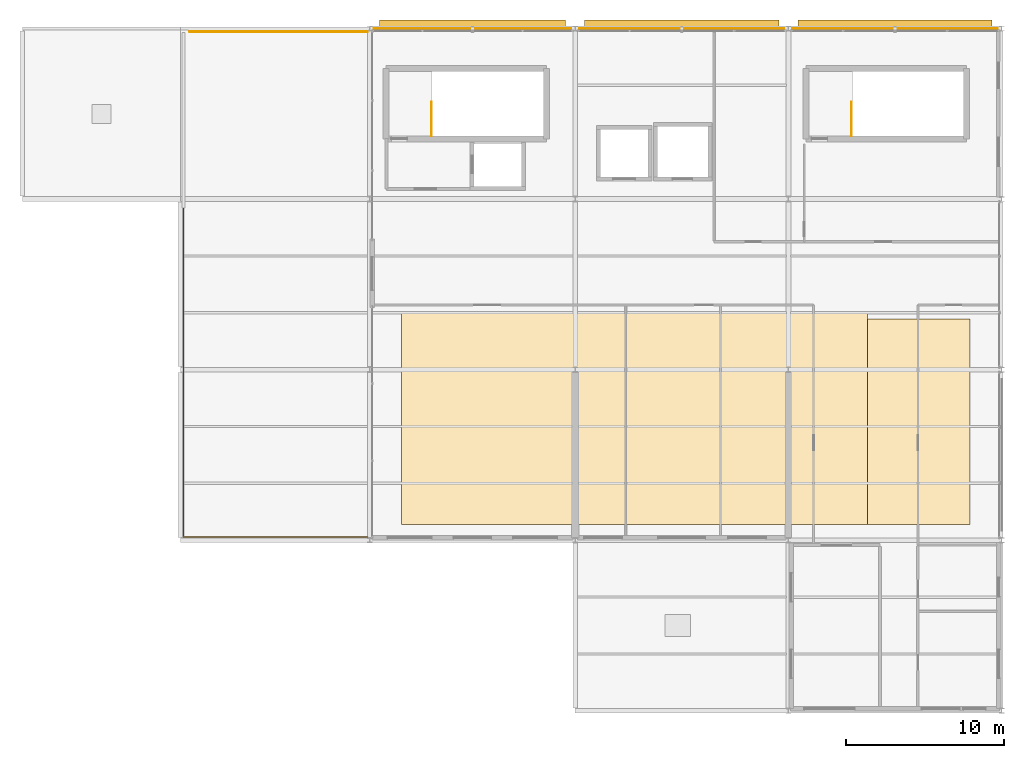
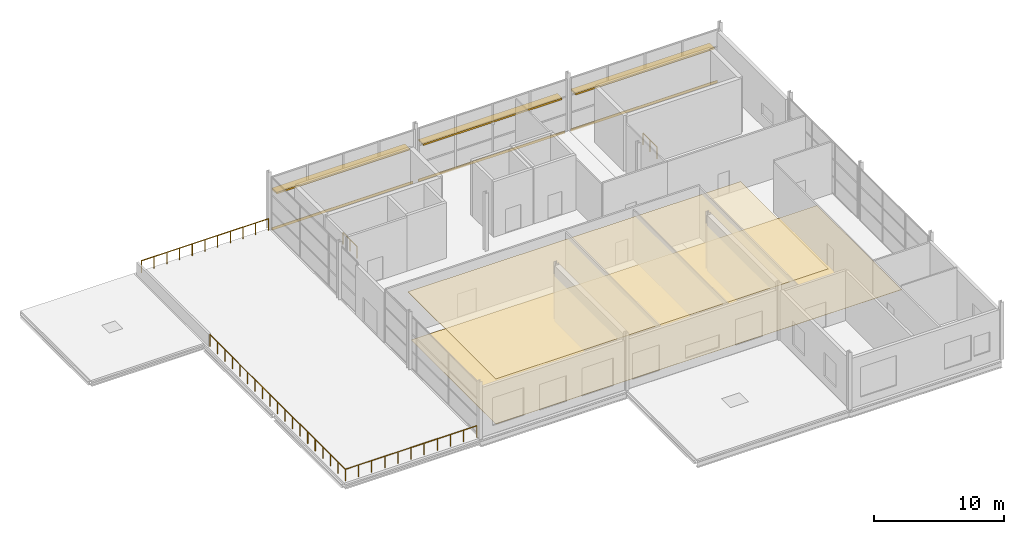
# One storey, part 34 of 34: 5 coverings, 4 railings, 3 shading devices.
"""IFC4 building model written with IfcOpenShell, lengths in metres."""

from ifc_helpers import new_model, si_unit, direction, frame, origin, origin_2d, place, context, subcontext, project, spatial, polyline, rectangle, circle, outline, extrude, material, layer, layer_set, type_object, element, save


model = new_model("IFC4")

# Units and contexts
model_context = context("Model", 3, precision=1e-05, world=origin(), true_north=direction((0.0, 1.0)))
body_context = subcontext(model_context, "Body", "Model", "MODEL_VIEW")
ifc_project = project(units=[si_unit("LENGTHUNIT", "METRE"), si_unit("AREAUNIT", "SQUARE_METRE"), si_unit("VOLUMEUNIT", "CUBIC_METRE"), si_unit("PLANEANGLEUNIT", "RADIAN"), si_unit("MASSUNIT", "GRAM", prefix="KILO")], contexts=[model_context])

# Site, building, storey
site_placement = place(None, origin())
site = spatial("IfcSite", under=ifc_project, at=site_placement, CompositionType="ELEMENT")
building_placement = place(site_placement, origin())
building = spatial("IfcBuilding", under=site, at=building_placement, Name="Tamarisk Ironworks Central Station", CompositionType="ELEMENT")
storey_placement = place(building_placement, frame((0.0, 0.0, 25.199951171875)))
storey = spatial("IfcBuildingStorey", under=building, at=storey_placement, Name="L05", CompositionType="ELEMENT", Elevation=25.199951171875)

# Coverings
ifc_material_1 = material(Name="Anodized aluminium alloy 6063-T6", Category="aluminium")
ifc_layer_1 = layer(ifc_material_1, 0.044921875)
ifc_layer_set_1 = layer_set([ifc_layer_1], Name="Anodized aluminium alloy 6063-T6")
covering_type_1 = type_object("IfcCoveringType", Name="COV-CEIL-MT", PredefinedType="CEILING", material=ifc_layer_set_1)
covering_1_placement = place(storey_placement, frame((0.0, 0.0, 4.199951171875)))
element("IfcCovering", 1, at=covering_1_placement, inside=storey, type_object=covering_type_1, Name="L05 suspended acoustic baffle ceiling 012", PredefinedType="CEILING", context=body_context, shape_type="SweptSolid", body=[
    extrude(outline(polyline([(142.0, 91.0), (171.5, 91.0), (171.5, 104.5), (142.0, 104.5), (142.0, 91.0)])), origin(), (0.0, 0.0, 1.0), 0.045166015625),
])
ifc_material_2 = material(Name="Clay facing brickwork and mortar", Category="masonry")
ifc_layer_2 = layer(ifc_material_2, 0.050048828125)
ifc_layer_set_2 = layer_set([ifc_layer_2], Name="Clay facing brickwork and mortar")
covering_type_2 = type_object("IfcCoveringType", Name="COV-CLAD", PredefinedType="CLADDING", material=ifc_layer_set_2)
covering_2_placement = place(storey_placement, frame((146.5, 122.389892578125, -0.23974609375), z_axis=(0.0, 0.0, 1.0), x_axis=(1.0, 0.0, 0.0)))
element("IfcCovering", 2, at=covering_2_placement, inside=storey, type_object=covering_type_2, Name="L05 terracotta slab-edge spandrel cladding 025", PredefinedType="CLADDING", context=body_context, shape_type="SweptSolid", body=[
    extrude(rectangle(XDim=12.5, YDim=0.050048828125, at=origin_2d()), origin(), (0.0, 0.0, 1.0), 0.239990234375),
])
for number, where, z_axis, x_axis, name in (
    (3, (159.75, 122.389892578125, -0.23974609375), (0.0, 0.0, 1.0), (1.0, 0.0, 0.0), "L05 terracotta slab-edge spandrel cladding 026"),
    (4, (173.25, 122.389892578125, -0.23974609375), (0.0, 0.0, 1.0), (1.0, 0.0, 0.0), "L05 terracotta slab-edge spandrel cladding 027"),
):
    element("IfcCovering", number, at=place(storey_placement, frame(where, z_axis=z_axis, x_axis=x_axis)), inside=storey, type_object=covering_type_2, Name=name, PredefinedType="CLADDING", context=body_context, shape_type="SweptSolid", body=[
        extrude(rectangle(XDim=13.0, YDim=0.050048828125, at=origin_2d()), origin(), (0.0, 0.0, 1.0), 0.239990234375),
    ])
ifc_material_3 = material(Name="Granite tactile platform paving", Category="masonry")
ifc_layer_3 = layer(ifc_material_3, 0.02490234375)
ifc_layer_set_3 = layer_set([ifc_layer_3], Name="Granite tactile platform paving")
covering_type_3 = type_object("IfcCoveringType", Name="COV-FLOOR-GR", PredefinedType="FLOORING", material=ifc_layer_set_3)
covering_3_placement = place(storey_placement, origin())
element("IfcCovering", 5, at=covering_3_placement, inside=storey, type_object=covering_type_3, Name="L05 granite/terrazzo floor finish 012", PredefinedType="FLOORING", context=body_context, shape_type="SweptSolid", body=[
    extrude(outline(polyline([(142.0, 91.0), (178.0, 91.0), (178.0, 104.0), (142.0, 104.0), (142.0, 91.0)])), origin(), (0.0, 0.0, 1.0), 0.025146484375),
])

# Railings
ifc_material_4 = material(Name="Brushed stainless steel AISI 316", Category="steel")
railing_type_1 = type_object("IfcRailingType", Name="RL-GUARD-EXT", PredefinedType="BALUSTRADE", material=ifc_material_4)
railing_1_placement = place(storey_placement, frame((139.85009765625, 90.199951171875, 0.0)))
element("IfcRailing", 6, at=railing_1_placement, inside=storey, type_object=railing_type_1, Name="L05 panoramic terrace south-west guard", PredefinedType="BALUSTRADE", context=body_context, shape_type="SweptSolid", body=[
    extrude(circle(Radius=0.02392578125, at=origin_2d()), frame((0.0, 0.0, 1.09619140625), z_axis=(-1.0, 0.0, 0.0), x_axis=(0.0, -1.0, 0.0)), (0.0, 0.0, 1.0), 11.650146484375),
    extrude(circle(Radius=0.02392578125, at=origin_2d()), frame((-11.650146484375, 0.0, 1.09619140625), z_axis=(0.0, 1.0, 0.0), x_axis=(-1.0, 0.0, 0.0)), (0.0, 0.0, 1.0), 20.800048828125),
    extrude(circle(Radius=0.02099609375, at=origin_2d()), origin(), (0.0, 0.0, 1.0), 1.072021484375),
    extrude(circle(Radius=0.02099609375, at=origin_2d()), frame((-1.1650390625, 0.0, 0.0)), (0.0, 0.0, 1.0), 1.072021484375),
    extrude(circle(Radius=0.02099609375, at=origin_2d()), frame((-2.330078125, 0.0, 0.0)), (0.0, 0.0, 1.0), 1.072021484375),
    extrude(circle(Radius=0.02099609375, at=origin_2d()), frame((-3.4951171875, 0.0, 0.0)), (0.0, 0.0, 1.0), 1.072021484375),
    extrude(circle(Radius=0.02099609375, at=origin_2d()), frame((-4.66015625, 0.0, 0.0)), (0.0, 0.0, 1.0), 1.072021484375),
    extrude(circle(Radius=0.02099609375, at=origin_2d()), frame((-5.8251953125, 0.0, 0.0)), (0.0, 0.0, 1.0), 1.072021484375),
    extrude(circle(Radius=0.02099609375, at=origin_2d()), frame((-6.989990234375, 0.0, 0.0)), (0.0, 0.0, 1.0), 1.072021484375),
    extrude(circle(Radius=0.02099609375, at=origin_2d()), frame((-8.155029296875, 0.0, 0.0)), (0.0, 0.0, 1.0), 1.072021484375),
    extrude(circle(Radius=0.02099609375, at=origin_2d()), frame((-9.320068359375, 0.0, 0.0)), (0.0, 0.0, 1.0), 1.072021484375),
    extrude(circle(Radius=0.02099609375, at=origin_2d()), frame((-10.485107421875, 0.0, 0.0)), (0.0, 0.0, 1.0), 1.072021484375),
    extrude(circle(Radius=0.02099609375, at=origin_2d()), frame((-11.650146484375, 0.0, 0.0)), (0.0, 0.0, 1.0), 1.072021484375),
    extrude(circle(Radius=0.02099609375, at=origin_2d()), frame((-11.650146484375, 1.155517578125, 0.0)), (0.0, 0.0, 1.0), 1.072021484375),
    extrude(circle(Radius=0.02099609375, at=origin_2d()), frame((-11.650146484375, 2.31103515625, 0.0)), (0.0, 0.0, 1.0), 1.072021484375),
    extrude(circle(Radius=0.02099609375, at=origin_2d()), frame((-11.650146484375, 3.466796875, 0.0)), (0.0, 0.0, 1.0), 1.072021484375),
    extrude(circle(Radius=0.02099609375, at=origin_2d()), frame((-11.650146484375, 4.622314453125, 0.0)), (0.0, 0.0, 1.0), 1.072021484375),
    extrude(circle(Radius=0.02099609375, at=origin_2d()), frame((-11.650146484375, 5.77783203125, 0.0)), (0.0, 0.0, 1.0), 1.072021484375),
    extrude(circle(Radius=0.02099609375, at=origin_2d()), frame((-11.650146484375, 6.933349609375, 0.0)), (0.0, 0.0, 1.0), 1.072021484375),
    extrude(circle(Radius=0.02099609375, at=origin_2d()), frame((-11.650146484375, 8.0888671875, 0.0)), (0.0, 0.0, 1.0), 1.072021484375),
    extrude(circle(Radius=0.02099609375, at=origin_2d()), frame((-11.650146484375, 9.244384765625, 0.0)), (0.0, 0.0, 1.0), 1.072021484375),
    extrude(circle(Radius=0.02099609375, at=origin_2d()), frame((-11.650146484375, 10.39990234375, 0.0)), (0.0, 0.0, 1.0), 1.072021484375),
    extrude(circle(Radius=0.02099609375, at=origin_2d()), frame((-11.650146484375, 11.5556640625, 0.0)), (0.0, 0.0, 1.0), 1.072021484375),
    extrude(circle(Radius=0.02099609375, at=origin_2d()), frame((-11.650146484375, 12.711181640625, 0.0)), (0.0, 0.0, 1.0), 1.072021484375),
    extrude(circle(Radius=0.02099609375, at=origin_2d()), frame((-11.650146484375, 13.86669921875, 0.0)), (0.0, 0.0, 1.0), 1.072021484375),
    extrude(circle(Radius=0.02099609375, at=origin_2d()), frame((-11.650146484375, 15.022216796875, 0.0)), (0.0, 0.0, 1.0), 1.072021484375),
    extrude(circle(Radius=0.02099609375, at=origin_2d()), frame((-11.650146484375, 16.177734375, 0.0)), (0.0, 0.0, 1.0), 1.072021484375),
    extrude(circle(Radius=0.02099609375, at=origin_2d()), frame((-11.650146484375, 17.33349609375, 0.0)), (0.0, 0.0, 1.0), 1.072021484375),
    extrude(circle(Radius=0.02099609375, at=origin_2d()), frame((-11.650146484375, 18.489013671875, 0.0)), (0.0, 0.0, 1.0), 1.072021484375),
    extrude(circle(Radius=0.02099609375, at=origin_2d()), frame((-11.650146484375, 19.64453125, 0.0)), (0.0, 0.0, 1.0), 1.072021484375),
    extrude(circle(Radius=0.02099609375, at=origin_2d()), frame((-11.650146484375, 20.800048828125, 0.0)), (0.0, 0.0, 1.0), 1.072021484375),
])
railing_2_placement = place(storey_placement, frame((128.60009765625, 122.199951171875, 0.0)))
element("IfcRailing", 7, at=railing_2_placement, inside=storey, type_object=railing_type_1, Name="L05 panoramic terrace north guard", PredefinedType="BALUSTRADE", context=body_context, shape_type="SweptSolid", body=[
    extrude(circle(Radius=0.02392578125, at=origin_2d()), frame((0.0, 0.0, 1.09619140625), z_axis=(1.0, 0.0, 0.0), x_axis=(0.0, 1.0, 0.0)), (0.0, 0.0, 1.0), 11.25),
    extrude(circle(Radius=0.02099609375, at=origin_2d()), origin(), (0.0, 0.0, 1.0), 1.072021484375),
    extrude(circle(Radius=0.02099609375, at=origin_2d()), frame((1.125, 0.0, 0.0)), (0.0, 0.0, 1.0), 1.072021484375),
    extrude(circle(Radius=0.02099609375, at=origin_2d()), frame((2.25, 0.0, 0.0)), (0.0, 0.0, 1.0), 1.072021484375),
    extrude(circle(Radius=0.02099609375, at=origin_2d()), frame((3.375, 0.0, 0.0)), (0.0, 0.0, 1.0), 1.072021484375),
    extrude(circle(Radius=0.02099609375, at=origin_2d()), frame((4.5, 0.0, 0.0)), (0.0, 0.0, 1.0), 1.072021484375),
    extrude(circle(Radius=0.02099609375, at=origin_2d()), frame((5.625, 0.0, 0.0)), (0.0, 0.0, 1.0), 1.072021484375),
    extrude(circle(Radius=0.02099609375, at=origin_2d()), frame((6.75, 0.0, 0.0)), (0.0, 0.0, 1.0), 1.072021484375),
    extrude(circle(Radius=0.02099609375, at=origin_2d()), frame((7.875, 0.0, 0.0)), (0.0, 0.0, 1.0), 1.072021484375),
    extrude(circle(Radius=0.02099609375, at=origin_2d()), frame((9.0, 0.0, 0.0)), (0.0, 0.0, 1.0), 1.072021484375),
    extrude(circle(Radius=0.02099609375, at=origin_2d()), frame((10.125, 0.0, 0.0)), (0.0, 0.0, 1.0), 1.072021484375),
    extrude(circle(Radius=0.02099609375, at=origin_2d()), frame((11.25, 0.0, 0.0)), (0.0, 0.0, 1.0), 1.072021484375),
])
railing_type_2 = type_object("IfcRailingType", Name="RL-GUARD-INT", PredefinedType="BALUSTRADE", material=ifc_material_4)
for number, where, name in (
    (8, (143.89990234375, 115.60009765625, 0.0), "L05 ST-C1 top well guard 1"),
    (9, (170.5, 115.60009765625, 0.0), "L05 ST-C2 top well guard 1"),
):
    element("IfcRailing", number, at=place(storey_placement, frame(where)), inside=storey, type_object=railing_type_2, Name=name, PredefinedType="BALUSTRADE", context=body_context, shape_type="SweptSolid", body=[
        extrude(circle(Radius=0.02392578125, at=origin_2d()), frame((0.0, 0.0, 1.076171875), z_axis=(0.0, 1.0, 0.0), x_axis=(-1.0, 0.0, 0.0)), (0.0, 0.0, 1.0), 2.14990234375),
        extrude(circle(Radius=0.02099609375, at=origin_2d()), origin(), (0.0, 0.0, 1.0), 1.052001953125),
        extrude(circle(Radius=0.02099609375, at=origin_2d()), frame((0.0, 1.074951171875, 0.0)), (0.0, 0.0, 1.0), 1.052001953125),
        extrude(circle(Radius=0.02099609375, at=origin_2d()), frame((0.0, 2.14990234375, 0.0)), (0.0, 0.0, 1.0), 1.052001953125),
    ])

# Shading devices
shading_device_type = type_object("IfcShadingDeviceType", Name="SHD-LV02", PredefinedType="JALOUSIE", material=ifc_material_1)
shading_device_placement = place(storey_placement, frame((146.5, 122.580078125, 3.1201171875), z_axis=(0.0, 0.0, 1.0), x_axis=(1.0, 0.0, 0.0)))
element("IfcShadingDevice", 10, at=shading_device_placement, inside=storey, type_object=shading_device_type, Name="L05 north horizontal solar jalousie canopy 016", PredefinedType="JALOUSIE", context=body_context, shape_type="SweptSolid", body=[
    extrude(rectangle(XDim=11.800048828125, YDim=0.719970703125, at=origin_2d()), origin(), (0.0, 0.0, 1.0), 0.159912109375),
])
for number, where, z_axis, x_axis, name in (
    (11, (159.75, 122.580078125, 3.1201171875), (0.0, 0.0, 1.0), (1.0, 0.0, 0.0), "L05 north horizontal solar jalousie canopy 017"),
    (12, (173.25, 122.580078125, 3.1201171875), (0.0, 0.0, 1.0), (1.0, 0.0, 0.0), "L05 north horizontal solar jalousie canopy 018"),
):
    element("IfcShadingDevice", number, at=place(storey_placement, frame(where, z_axis=z_axis, x_axis=x_axis)), inside=storey, type_object=shading_device_type, Name=name, PredefinedType="JALOUSIE", context=body_context, shape_type="SweptSolid", body=[
        extrude(rectangle(XDim=12.300048828125, YDim=0.719970703125, at=origin_2d()), origin(), (0.0, 0.0, 1.0), 0.159912109375),
    ])

save(model, "model.ifc")
